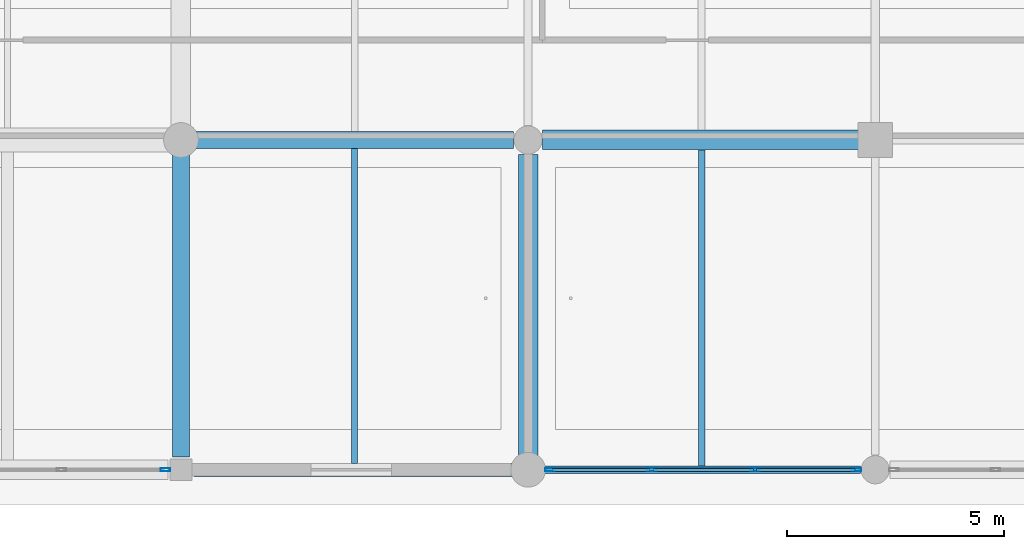
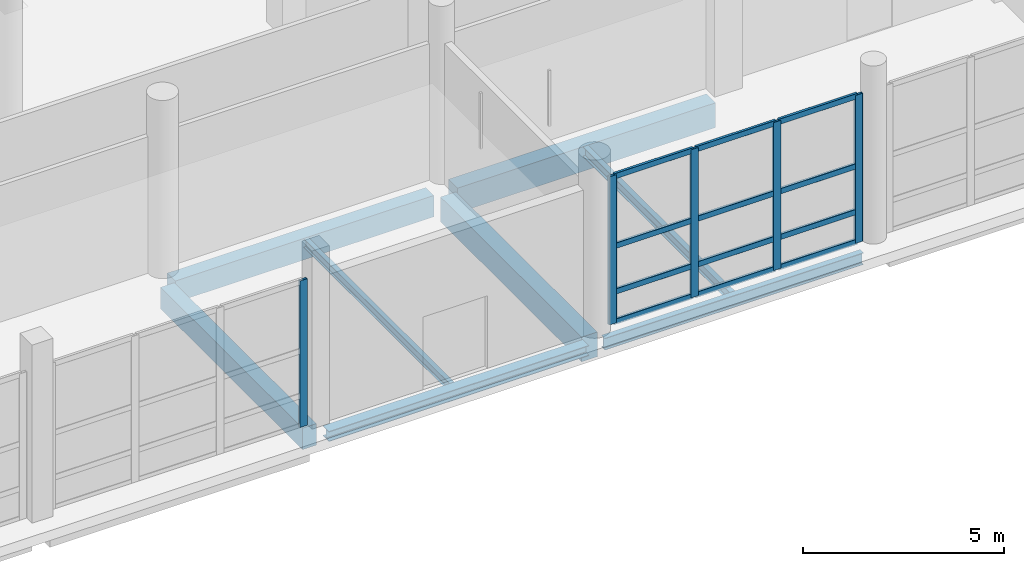
# One storey, part 20 of 126: 17 members, 8 beams, 2 elements without a shape of their own.
"""IFC4 building model written with IfcOpenShell, lengths in metres."""

from ifc_helpers import new_model, si_unit, direction, frame, origin, origin_2d, place, context, subcontext, project, spatial, rectangle, hollow_rectangle, i_section, extrude, material, material_profile, profile_set, type_object, element, aggregate, save


model = new_model("IFC4")

# Units and contexts
model_context = context("Model", 3, precision=1e-05, world=origin(), true_north=direction((0.0, 1.0)))
body_context = subcontext(model_context, "Body", "Model", "MODEL_VIEW")
ifc_project = project(units=[si_unit("LENGTHUNIT", "METRE"), si_unit("AREAUNIT", "SQUARE_METRE"), si_unit("VOLUMEUNIT", "CUBIC_METRE"), si_unit("PLANEANGLEUNIT", "RADIAN"), si_unit("MASSUNIT", "GRAM", prefix="KILO")], contexts=[model_context])

# Site, building, storey
site_placement = place(None, origin())
site = spatial("IfcSite", under=ifc_project, at=site_placement, CompositionType="ELEMENT")
building_placement = place(site_placement, origin())
building = spatial("IfcBuilding", under=site, at=building_placement, Name="Khelvaren Railside Concert Hall", CompositionType="ELEMENT")
storey_placement = place(building_placement, origin())
storey = spatial("IfcBuildingStorey", under=building, at=storey_placement, Name="L00", CompositionType="ELEMENT", Elevation=0.0)

# Beams
ifc_material_1 = material(Name="Concrete C40/50", Category="concrete")
ifc_material_profile_1 = material_profile(ifc_material_1, rectangle(XDim=0.39990234375, YDim=0.64990234375, at=origin_2d()), Name="RCB 400x650")
ifc_profile_set_1 = profile_set([ifc_material_profile_1], Name="Concrete C40/50")
beam_type_1 = type_object("IfcBeamType", Name="BM33", PredefinedType="BEAM", material=ifc_profile_set_1)
beam_1_placement = place(storey_placement, frame((96.25, 7.60009765625, -0.64501953125), z_axis=(1.0, 0.0, 0.0), x_axis=(0.0, 1.0, 0.0)))
element("IfcBeam", 1, at=beam_1_placement, inside=storey, type_object=beam_type_1, Name="V3 L00 Beam X2.5", PredefinedType="BEAM", context=body_context, shape_type="SweptSolid", body=[
    extrude(rectangle(XDim=0.39990234375, YDim=0.64990234375, at=origin_2d()), origin(), (0.0, 0.0, 1.0), 7.4140625),
])
beam_2_placement = place(storey_placement, frame((96.0, 0.300048828125, -0.64501953125), z_axis=(0.0, 1.0, 0.0), x_axis=(-1.0, 0.0, 0.0)))
element("IfcBeam", 2, at=beam_2_placement, inside=storey, type_object=beam_type_1, Name="V3 L00 Beam Y5.1", PredefinedType="BEAM", context=body_context, shape_type="SweptSolid", body=[
    extrude(rectangle(XDim=0.39990234375, YDim=0.64990234375, at=origin_2d()), origin(), (0.0, 0.0, 1.0), 7.050048828125),
])
ifc_material_profile_2 = material_profile(ifc_material_1, rectangle(XDim=0.449951171875, YDim=0.75, at=origin_2d()), Name="RCB 450x750")
ifc_profile_set_2 = profile_set([ifc_material_profile_2], Name="Concrete C40/50")
beam_type_2 = type_object("IfcBeamType", Name="BM83", PredefinedType="BEAM", material=ifc_profile_set_2)
beam_3_placement = place(storey_placement, frame((104.3359375, 7.60009765625, -0.695068359375), z_axis=(1.0, 0.0, 0.0), x_axis=(0.0, 1.0, 0.0)))
element("IfcBeam", 3, at=beam_3_placement, inside=storey, type_object=beam_type_2, Name="V3 L00 Beam X2.6", PredefinedType="BEAM", context=body_context, shape_type="SweptSolid", body=[
    extrude(rectangle(XDim=0.449951171875, YDim=0.75, at=origin_2d()), origin(), (0.0, 0.0, 1.0), 7.39111328125),
])
beam_4_placement = place(storey_placement, frame((104.0, 0.25, -0.695068359375), z_axis=(0.0, 1.0, 0.0), x_axis=(-1.0, 0.0, 0.0)))
element("IfcBeam", 4, at=beam_4_placement, inside=storey, type_object=beam_type_2, Name="V3 L00 Beam Y6.1", PredefinedType="BEAM", context=body_context, shape_type="SweptSolid", body=[
    extrude(rectangle(XDim=0.449951171875, YDim=0.75, at=origin_2d()), origin(), (0.0, 0.0, 1.0), 7.013916015625),
])

# Curtain wall, member
ifc_material_2 = material(Name="Triple-glazed solar-control glass", Category="glass")
curtain_wall_type_1 = type_object("IfcCurtainWallType", Name="CW88", PredefinedType="USERDEFINED", material=ifc_material_2)
curtain_wall_1_placement = place(storey_placement, origin())
curtain_wall_1 = element("IfcCurtainWall", 5, at=curtain_wall_1_placement, inside=storey, type_object=curtain_wall_type_1, Name="Unitised Curtain Wall CW-V3-L00-S-88", ObjectType="UNITISED CURTAIN WALL", PredefinedType="USERDEFINED")
ifc_material_3 = material(Name="Anodised architectural aluminium 6063-T6", Category="aluminium")
ifc_material_profile_3 = material_profile(ifc_material_3, hollow_rectangle(XDim=0.074951171875, YDim=0.219970703125, WallThickness=0.0048828125, InnerFilletRadius=0.0029296875, OuterFilletRadius=0.0048828125, at=origin_2d()), Name="CWM 75x220x5")
ifc_profile_set_3 = profile_set([ifc_material_profile_3], Name="Anodised architectural aluminium 6063-T6")
member_type_1 = type_object("IfcMemberType", Name="CWM13", PredefinedType="MULLION", material=ifc_profile_set_3)
member_1_placement = place(storey_placement, frame((95.639892578125, 0.0, 0.0), z_axis=(0.0, 0.0, 1.0), x_axis=(0.0, -1.0, 0.0)))
member_1 = element("IfcMember", 6, at=member_1_placement, type_object=member_type_1, Name="CW88 mullion 1", PredefinedType="MULLION", context=body_context, shape_type="SweptSolid", body=[
    extrude(hollow_rectangle(XDim=0.074951171875, YDim=0.219970703125, WallThickness=0.0048828125, InnerFilletRadius=0.0029296875, OuterFilletRadius=0.0048828125, at=origin_2d()), origin(), (0.0, 0.0, 1.0), 4.43994140625),
])
aggregate(curtain_wall_1, [member_1])

# Curtain wall, members
curtain_wall_type_2 = type_object("IfcCurtainWallType", Name="CW14", PredefinedType="USERDEFINED", material=ifc_material_2)
curtain_wall_2_placement = place(storey_placement, origin())
curtain_wall_2 = element("IfcCurtainWall", 7, at=curtain_wall_2_placement, inside=storey, type_object=curtain_wall_type_2, Name="Unitised Curtain Wall CW-V3-L00-S-104", ObjectType="UNITISED CURTAIN WALL", PredefinedType="USERDEFINED")
member_2_placement = place(storey_placement, frame((111.56494140625, 0.0, 0.0), z_axis=(0.0, 0.0, 1.0), x_axis=(0.0, -1.0, 0.0)))
member_2 = element("IfcMember", 8, at=member_2_placement, type_object=member_type_1, Name="CW14 mullion 1", PredefinedType="MULLION", context=body_context, shape_type="SweptSolid", body=[
    extrude(hollow_rectangle(XDim=0.074951171875, YDim=0.219970703125, WallThickness=0.0048828125, InnerFilletRadius=0.0029296875, OuterFilletRadius=0.0048828125, at=origin_2d()), origin(), (0.0, 0.0, 1.0), 4.489990234375),
])
member_3_placement = place(storey_placement, frame((109.225830078125, 0.0, 0.0), z_axis=(0.0, 0.0, 1.0), x_axis=(0.0, -1.0, 0.0)))
member_3 = element("IfcMember", 9, at=member_3_placement, type_object=member_type_1, Name="CW14 mullion 2", PredefinedType="MULLION", context=body_context, shape_type="SweptSolid", body=[
    extrude(hollow_rectangle(XDim=0.074951171875, YDim=0.219970703125, WallThickness=0.0048828125, InnerFilletRadius=0.0029296875, OuterFilletRadius=0.0048828125, at=origin_2d()), origin(), (0.0, 0.0, 1.0), 4.489990234375),
])
member_4_placement = place(storey_placement, frame((106.84912109375, 0.0, 0.0), z_axis=(0.0, 0.0, 1.0), x_axis=(0.0, -1.0, 0.0)))
member_4 = element("IfcMember", 10, at=member_4_placement, type_object=member_type_1, Name="CW14 mullion 3", PredefinedType="MULLION", context=body_context, shape_type="SweptSolid", body=[
    extrude(hollow_rectangle(XDim=0.074951171875, YDim=0.219970703125, WallThickness=0.0048828125, InnerFilletRadius=0.0029296875, OuterFilletRadius=0.0048828125, at=origin_2d()), origin(), (0.0, 0.0, 1.0), 4.489990234375),
])
member_5_placement = place(storey_placement, frame((104.510009765625, 0.0, 0.0), z_axis=(0.0, 0.0, 1.0), x_axis=(0.0, -1.0, 0.0)))
member_5 = element("IfcMember", 11, at=member_5_placement, type_object=member_type_1, Name="CW14 mullion 4", PredefinedType="MULLION", context=body_context, shape_type="SweptSolid", body=[
    extrude(hollow_rectangle(XDim=0.074951171875, YDim=0.219970703125, WallThickness=0.0048828125, InnerFilletRadius=0.0029296875, OuterFilletRadius=0.0048828125, at=origin_2d()), origin(), (0.0, 0.0, 1.0), 4.489990234375),
])
ifc_material_profile_4 = material_profile(ifc_material_3, hollow_rectangle(XDim=0.074951171875, YDim=0.1650390625, WallThickness=0.00390625, InnerFilletRadius=0.001953125, OuterFilletRadius=0.00390625, at=origin_2d()), Name="CWT 75x165x4")
ifc_profile_set_4 = profile_set([ifc_material_profile_4], Name="Anodised architectural aluminium 6063-T6")
member_type_2 = type_object("IfcMemberType", Name="CWT46", PredefinedType="USERDEFINED", material=ifc_profile_set_4)
member_6_placement = place(storey_placement, frame((111.527587890625, 0.0, 0.03759765625), z_axis=(-1.0, 0.0, 0.0), x_axis=(0.0, -1.0, 0.0)))
member_6 = element("IfcMember", 12, at=member_6_placement, type_object=member_type_2, Name="CW14 transom 1.1", ObjectType="TRANSOM", PredefinedType="USERDEFINED", context=body_context, shape_type="SweptSolid", body=[
    extrude(hollow_rectangle(XDim=0.074951171875, YDim=0.1650390625, WallThickness=0.00390625, InnerFilletRadius=0.001953125, OuterFilletRadius=0.00390625, at=origin_2d()), origin(), (0.0, 0.0, 1.0), 2.26416015625),
])
member_7_placement = place(storey_placement, frame((111.527587890625, 0.0, 0.949951171875), z_axis=(-1.0, 0.0, 0.0), x_axis=(0.0, -1.0, 0.0)))
member_7 = element("IfcMember", 13, at=member_7_placement, type_object=member_type_2, Name="CW14 transom 1.2", ObjectType="TRANSOM", PredefinedType="USERDEFINED", context=body_context, shape_type="SweptSolid", body=[
    extrude(hollow_rectangle(XDim=0.074951171875, YDim=0.1650390625, WallThickness=0.00390625, InnerFilletRadius=0.001953125, OuterFilletRadius=0.00390625, at=origin_2d()), origin(), (0.0, 0.0, 1.0), 2.26416015625),
])
member_8_placement = place(storey_placement, frame((111.527587890625, 0.0, 2.334716796875), z_axis=(-1.0, 0.0, 0.0), x_axis=(0.0, -1.0, 0.0)))
member_8 = element("IfcMember", 14, at=member_8_placement, type_object=member_type_2, Name="CW14 transom 1.3", ObjectType="TRANSOM", PredefinedType="USERDEFINED", context=body_context, shape_type="SweptSolid", body=[
    extrude(hollow_rectangle(XDim=0.074951171875, YDim=0.1650390625, WallThickness=0.00390625, InnerFilletRadius=0.001953125, OuterFilletRadius=0.00390625, at=origin_2d()), origin(), (0.0, 0.0, 1.0), 2.26416015625),
])
member_9_placement = place(storey_placement, frame((111.527587890625, 0.0, 4.452392578125), z_axis=(-1.0, 0.0, 0.0), x_axis=(0.0, -1.0, 0.0)))
member_9 = element("IfcMember", 15, at=member_9_placement, type_object=member_type_2, Name="CW14 transom 1.4", ObjectType="TRANSOM", PredefinedType="USERDEFINED", context=body_context, shape_type="SweptSolid", body=[
    extrude(hollow_rectangle(XDim=0.074951171875, YDim=0.1650390625, WallThickness=0.00390625, InnerFilletRadius=0.001953125, OuterFilletRadius=0.00390625, at=origin_2d()), origin(), (0.0, 0.0, 1.0), 2.26416015625),
])
member_10_placement = place(storey_placement, frame((109.188232421875, 0.0, 0.03759765625), z_axis=(-1.0, 0.0, 0.0), x_axis=(0.0, -1.0, 0.0)))
member_10 = element("IfcMember", 16, at=member_10_placement, type_object=member_type_2, Name="CW14 transom 2.1", ObjectType="TRANSOM", PredefinedType="USERDEFINED", context=body_context, shape_type="SweptSolid", body=[
    extrude(hollow_rectangle(XDim=0.074951171875, YDim=0.1650390625, WallThickness=0.00390625, InnerFilletRadius=0.001953125, OuterFilletRadius=0.00390625, at=origin_2d()), origin(), (0.0, 0.0, 1.0), 2.301513671875),
])
member_11_placement = place(storey_placement, frame((109.188232421875, 0.0, 0.949951171875), z_axis=(-1.0, 0.0, 0.0), x_axis=(0.0, -1.0, 0.0)))
member_11 = element("IfcMember", 17, at=member_11_placement, type_object=member_type_2, Name="CW14 transom 2.2", ObjectType="TRANSOM", PredefinedType="USERDEFINED", context=body_context, shape_type="SweptSolid", body=[
    extrude(hollow_rectangle(XDim=0.074951171875, YDim=0.1650390625, WallThickness=0.00390625, InnerFilletRadius=0.001953125, OuterFilletRadius=0.00390625, at=origin_2d()), origin(), (0.0, 0.0, 1.0), 2.301513671875),
])
member_12_placement = place(storey_placement, frame((109.188232421875, 0.0, 2.334716796875), z_axis=(-1.0, 0.0, 0.0), x_axis=(0.0, -1.0, 0.0)))
member_12 = element("IfcMember", 18, at=member_12_placement, type_object=member_type_2, Name="CW14 transom 2.3", ObjectType="TRANSOM", PredefinedType="USERDEFINED", context=body_context, shape_type="SweptSolid", body=[
    extrude(hollow_rectangle(XDim=0.074951171875, YDim=0.1650390625, WallThickness=0.00390625, InnerFilletRadius=0.001953125, OuterFilletRadius=0.00390625, at=origin_2d()), origin(), (0.0, 0.0, 1.0), 2.301513671875),
])
member_13_placement = place(storey_placement, frame((109.188232421875, 0.0, 4.452392578125), z_axis=(-1.0, 0.0, 0.0), x_axis=(0.0, -1.0, 0.0)))
member_13 = element("IfcMember", 19, at=member_13_placement, type_object=member_type_2, Name="CW14 transom 2.4", ObjectType="TRANSOM", PredefinedType="USERDEFINED", context=body_context, shape_type="SweptSolid", body=[
    extrude(hollow_rectangle(XDim=0.074951171875, YDim=0.1650390625, WallThickness=0.00390625, InnerFilletRadius=0.001953125, OuterFilletRadius=0.00390625, at=origin_2d()), origin(), (0.0, 0.0, 1.0), 2.301513671875),
])
member_14_placement = place(storey_placement, frame((106.811767578125, 0.0, 0.03759765625), z_axis=(-1.0, 0.0, 0.0), x_axis=(0.0, -1.0, 0.0)))
member_14 = element("IfcMember", 20, at=member_14_placement, type_object=member_type_2, Name="CW14 transom 3.1", ObjectType="TRANSOM", PredefinedType="USERDEFINED", context=body_context, shape_type="SweptSolid", body=[
    extrude(hollow_rectangle(XDim=0.074951171875, YDim=0.1650390625, WallThickness=0.00390625, InnerFilletRadius=0.001953125, OuterFilletRadius=0.00390625, at=origin_2d()), origin(), (0.0, 0.0, 1.0), 2.26416015625),
])
member_15_placement = place(storey_placement, frame((106.811767578125, 0.0, 0.949951171875), z_axis=(-1.0, 0.0, 0.0), x_axis=(0.0, -1.0, 0.0)))
member_15 = element("IfcMember", 21, at=member_15_placement, type_object=member_type_2, Name="CW14 transom 3.2", ObjectType="TRANSOM", PredefinedType="USERDEFINED", context=body_context, shape_type="SweptSolid", body=[
    extrude(hollow_rectangle(XDim=0.074951171875, YDim=0.1650390625, WallThickness=0.00390625, InnerFilletRadius=0.001953125, OuterFilletRadius=0.00390625, at=origin_2d()), origin(), (0.0, 0.0, 1.0), 2.26416015625),
])
member_16_placement = place(storey_placement, frame((106.811767578125, 0.0, 2.334716796875), z_axis=(-1.0, 0.0, 0.0), x_axis=(0.0, -1.0, 0.0)))
member_16 = element("IfcMember", 22, at=member_16_placement, type_object=member_type_2, Name="CW14 transom 3.3", ObjectType="TRANSOM", PredefinedType="USERDEFINED", context=body_context, shape_type="SweptSolid", body=[
    extrude(hollow_rectangle(XDim=0.074951171875, YDim=0.1650390625, WallThickness=0.00390625, InnerFilletRadius=0.001953125, OuterFilletRadius=0.00390625, at=origin_2d()), origin(), (0.0, 0.0, 1.0), 2.26416015625),
])
member_17_placement = place(storey_placement, frame((106.811767578125, 0.0, 4.452392578125), z_axis=(-1.0, 0.0, 0.0), x_axis=(0.0, -1.0, 0.0)))
member_17 = element("IfcMember", 23, at=member_17_placement, type_object=member_type_2, Name="CW14 transom 3.4", ObjectType="TRANSOM", PredefinedType="USERDEFINED", context=body_context, shape_type="SweptSolid", body=[
    extrude(hollow_rectangle(XDim=0.074951171875, YDim=0.1650390625, WallThickness=0.00390625, InnerFilletRadius=0.001953125, OuterFilletRadius=0.00390625, at=origin_2d()), origin(), (0.0, 0.0, 1.0), 2.26416015625),
])
aggregate(curtain_wall_2, [member_2, member_3, member_4, member_5, member_6, member_7, member_8, member_9, member_10, member_11, member_12, member_13, member_14, member_15, member_16, member_17])

# Beams
ifc_material_4 = material(Name="Steel S355", Category="steel")
ifc_material_profile_5 = material_profile(ifc_material_4, i_section(OverallWidth=0.14990234375, OverallDepth=0.300048828125, WebThickness=0.007080078125, FlangeThickness=0.0107421875, FilletRadius=0.014892578125, at=origin_2d()), Name="IPE 300")
ifc_profile_set_5 = profile_set([ifc_material_profile_5], Name="Steel S355")
beam_type_3 = type_object("IfcBeamType", Name="JS26", PredefinedType="JOIST", material=ifc_profile_set_5)
beam_5_placement = place(storey_placement, frame((108.0, 0.0849609375, -0.469970703125), z_axis=(0.0, 1.0, 0.0), x_axis=(-1.0, 0.0, 0.0)))
element("IfcBeam", 24, at=beam_5_placement, inside=storey, type_object=beam_type_3, Name="V3 L00 Secondary Joist 6.1", PredefinedType="JOIST", context=body_context, shape_type="SweptSolid", body=[
    extrude(i_section(OverallWidth=0.14990234375, OverallDepth=0.300048828125, WebThickness=0.007080078125, FlangeThickness=0.0107421875, FilletRadius=0.014892578125, at=origin_2d()), origin(), (0.0, 0.0, 1.0), 7.2900390625),
])
ifc_material_profile_6 = material_profile(ifc_material_4, i_section(OverallWidth=0.135009765625, OverallDepth=0.27001953125, WebThickness=0.006591796875, FlangeThickness=0.01025390625, FilletRadius=0.014892578125, at=origin_2d()), Name="IPE 270")
ifc_profile_set_6 = profile_set([ifc_material_profile_6], Name="Steel S355")
beam_type_4 = type_object("IfcBeamType", Name="JS78", PredefinedType="JOIST", material=ifc_profile_set_6)
beam_6_placement = place(storey_placement, frame((100.0, 0.14990234375, -0.455078125), z_axis=(0.0, 1.0, 0.0), x_axis=(-1.0, 0.0, 0.0)))
element("IfcBeam", 25, at=beam_6_placement, inside=storey, type_object=beam_type_4, Name="V3 L00 Secondary Joist 5.1", PredefinedType="JOIST", context=body_context, shape_type="SweptSolid", body=[
    extrude(i_section(OverallWidth=0.135009765625, OverallDepth=0.27001953125, WebThickness=0.006591796875, FlangeThickness=0.01025390625, FilletRadius=0.014892578125, at=origin_2d()), origin(), (0.0, 0.0, 1.0), 7.25),
])
ifc_material_profile_7 = material_profile(ifc_material_4, i_section(OverallWidth=0.300048828125, OverallDepth=0.31005859375, WebThickness=0.009033203125, FlangeThickness=0.015380859375, FilletRadius=0.027099609375, at=origin_2d()), Name="HEA 320")
ifc_profile_set_7 = profile_set([ifc_material_profile_7], Name="Steel S355")
beam_type_5 = type_object("IfcBeamType", Name="SP66", PredefinedType="SPANDREL", material=ifc_profile_set_7)
beam_7_placement = place(storey_placement, frame((96.300048828125, 0.0, -0.47509765625), z_axis=(1.0, 0.0, 0.0), x_axis=(0.0, 1.0, 0.0)))
element("IfcBeam", 26, at=beam_7_placement, inside=storey, type_object=beam_type_5, Name="V3 L00 Spandrel X1.5", PredefinedType="SPANDREL", context=body_context, shape_type="SweptSolid", body=[
    extrude(i_section(OverallWidth=0.300048828125, OverallDepth=0.31005859375, WebThickness=0.009033203125, FlangeThickness=0.015380859375, FilletRadius=0.027099609375, at=origin_2d()), origin(), (0.0, 0.0, 1.0), 7.449951171875),
])
ifc_material_profile_8 = material_profile(ifc_material_4, i_section(OverallWidth=0.169921875, OverallDepth=0.360107421875, WebThickness=0.008056640625, FlangeThickness=0.0126953125, FilletRadius=0.01806640625, at=origin_2d()), Name="IPE 360")
ifc_profile_set_8 = profile_set([ifc_material_profile_8], Name="Steel S355")
beam_type_6 = type_object("IfcBeamType", Name="SP74", PredefinedType="SPANDREL", material=ifc_profile_set_8)
beam_8_placement = place(storey_placement, frame((104.25, 0.0, -0.5), z_axis=(1.0, 0.0, 0.0), x_axis=(0.0, 1.0, 0.0)))
element("IfcBeam", 27, at=beam_8_placement, inside=storey, type_object=beam_type_6, Name="V3 L00 Spandrel X1.6", PredefinedType="SPANDREL", context=body_context, shape_type="SweptSolid", body=[
    extrude(i_section(OverallWidth=0.169921875, OverallDepth=0.360107421875, WebThickness=0.008056640625, FlangeThickness=0.0126953125, FilletRadius=0.01806640625, at=origin_2d()), origin(), (0.0, 0.0, 1.0), 7.4140625),
])

save(model, "model.ifc")
